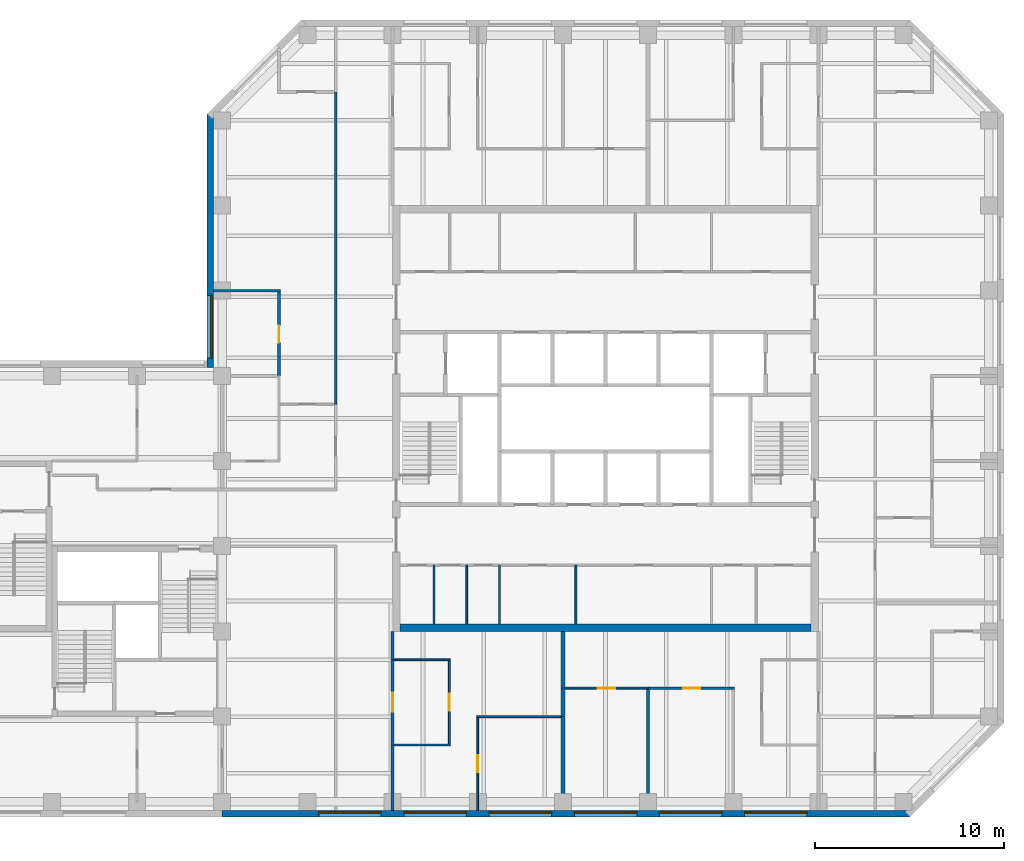
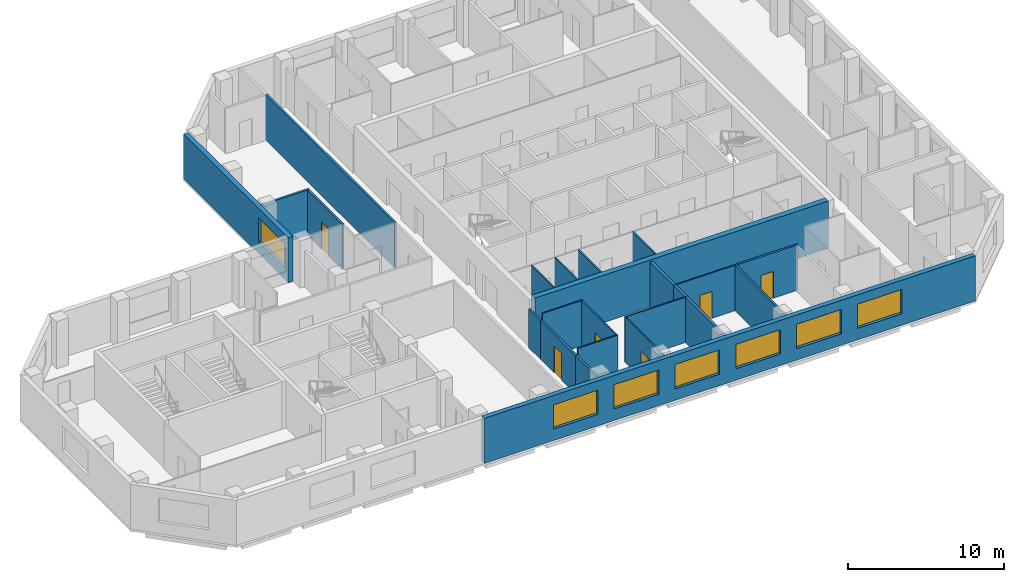
# One storey, part 4 of 10: 24 walls, 7 windows, 6 doors, 13 openings.
"""IFC4 building model written with IfcOpenShell, lengths in metres."""

import ifcopenshell
import ifcopenshell.guid

model = None  # the IFC model being written
_history = None  # IfcOwnerHistory: only IFC2X3 demands one
_inside = {}  # id of a spatial element -> (the spatial element, [elements in it])
_under = {}  # id of a project, library or spatial element -> (it, [spatial elements below it])
_declared = {}  # id of a project -> (the project, [libraries it declares])
_typed = {}  # id of a type object -> (the type object, [elements of that type])
_made_of = {}  # id of a material, layer set ... -> (it, [elements and type objects made of it])


def new_model(schema):
    """Start an empty IFC model of exactly this schema.

    Asked for "IFC4X3", IfcOpenShell would pick the latest addendum, in which some entities
    have other attributes; the version numbers below select the first issue.
    IFC2X3 requires an IfcOwnerHistory on every rooted entity: one is made here for all.
    """
    global model, _history
    if schema == "IFC4X3":
        model = ifcopenshell.file(schema_version=(4, 3, 0, 0))
    else:
        model = ifcopenshell.file(schema=schema)
    _inside.clear()
    _under.clear()
    _declared.clear()
    _typed.clear()
    _made_of.clear()
    _history = None
    if model.schema == "IFC2X3":
        org = make("IfcOrganization", Name="unknown")
        user = make(
            "IfcPersonAndOrganization",
            ThePerson=make("IfcPerson", FamilyName="unknown"),
            TheOrganization=org,
        )
        app = make(
            "IfcApplication",
            ApplicationDeveloper=org,
            Version="unknown",
            ApplicationFullName="unknown",
            ApplicationIdentifier="unknown",
        )
        _history = make(
            "IfcOwnerHistory",
            OwningUser=user,
            OwningApplication=app,
            ChangeAction="ADDED",
            CreationDate=0,
        )
    return model


def make(cls, **values):
    """One entity of the class cls with the attributes given. An attribute that is None is left unset."""
    return model.create_entity(
        cls, **{name: value for name, value in values.items() if value is not None}
    )


def rooted(cls, **values):
    """An entity with a GlobalId (a new one), such as an element, a storey or a relation."""
    return make(cls, GlobalId=ifcopenshell.guid.new(), OwnerHistory=_history, **values)


def si_unit(unit_type, name, prefix=None):
    """IfcSIUnit, for example si_unit("LENGTHUNIT", "METRE", prefix="MILLI")."""
    return make("IfcSIUnit", UnitType=unit_type, Prefix=prefix, Name=name)


def assignment(units):
    """IfcUnitAssignment: the units of a project."""
    return None if units is None else make("IfcUnitAssignment", Units=units)


def point(xyz):
    """IfcCartesianPoint."""
    return None if xyz is None else make("IfcCartesianPoint", Coordinates=xyz)


def direction(xyz):
    """IfcDirection."""
    return None if xyz is None else make("IfcDirection", DirectionRatios=xyz)


def frame(location, z_axis=None, x_axis=None):
    """IfcAxis2Placement3D, a coordinate frame: its origin and axes. An axis left out is left unset."""
    return make(
        "IfcAxis2Placement3D",
        Location=point(location),
        Axis=direction(z_axis),
        RefDirection=direction(x_axis),
    )


def frame_2d(location, x_axis=None):
    """IfcAxis2Placement2D, a coordinate frame in the plane: its origin and x axis."""
    return make(
        "IfcAxis2Placement2D", Location=point(location), RefDirection=direction(x_axis)
    )


def origin():
    """The frame at (0, 0, 0) with its axes left unset."""
    return frame((0.0, 0.0, 0.0))


def place(relative_to, where):
    """IfcLocalPlacement: puts the frame where relative to a parent placement (None: the world)."""
    return make(
        "IfcLocalPlacement", PlacementRelTo=relative_to, RelativePlacement=where
    )


def context(
    kind, dimensions, precision=None, world=None, true_north=None, identifier=None
):
    """IfcGeometricRepresentationContext, for example the 3D "Model" context."""
    return make(
        "IfcGeometricRepresentationContext",
        ContextIdentifier=identifier,
        ContextType=kind,
        CoordinateSpaceDimension=dimensions,
        Precision=precision,
        WorldCoordinateSystem=world,
        TrueNorth=true_north,
    )


def subcontext(parent, identifier, kind, view, scale=None):
    """IfcGeometricRepresentationSubContext, for example "Body" below "Model"."""
    return make(
        "IfcGeometricRepresentationSubContext",
        ContextIdentifier=identifier,
        ContextType=kind,
        ParentContext=parent,
        TargetScale=scale,
        TargetView=view,
    )


def project(units=None, contexts=None):
    """IfcProject with its units and contexts."""
    return rooted(
        "IfcProject",
        Name="project",
        RepresentationContexts=contexts,
        UnitsInContext=assignment(units),
    )


def spatial(cls, under=None, at=None, **own):
    """A site, building, storey or space (cls), placed at a placement, below another one or the project."""
    s = rooted(cls, ObjectPlacement=at, **own)
    if under is not None:
        _under.setdefault(under.id(), (under, []))[1].append(s)
    return s


def profile(cls, at=None, kind="AREA", **sizes):
    """A parametric profile (cls). Its sizes go by their IFC names, for example OverallWidth=200.0."""
    return make(cls, ProfileType=kind, Position=at, **sizes)


def rectangle(**sizes):
    """IfcRectangleProfileDef."""
    return profile("IfcRectangleProfileDef", **sizes)


def extrude(swept, where, along, depth):
    """IfcExtrudedAreaSolid: the profile swept, set in the frame where, extruded along a direction by depth."""
    return make(
        "IfcExtrudedAreaSolid",
        SweptArea=swept,
        Position=where,
        ExtrudedDirection=direction(along),
        Depth=depth,
    )


def shape(context_of_items, identifier, shape_type, items):
    """IfcShapeRepresentation: the items that make up one representation, for example the "Body"."""
    return make(
        "IfcShapeRepresentation",
        ContextOfItems=context_of_items,
        RepresentationIdentifier=identifier,
        RepresentationType=shape_type,
        Items=items,
    )


def material(Name=None, Category=None):
    """IfcMaterial."""
    return make("IfcMaterial", Name=Name, Category=Category)


def layer(
    of_material, thickness, ventilated=None, Name=None, Category=None, Priority=None
):
    """IfcMaterialLayer: one layer of a wall or slab, of a material (None: an air gap)."""
    return make(
        "IfcMaterialLayer",
        Material=of_material,
        LayerThickness=thickness,
        IsVentilated=ventilated,
        Name=Name,
        Category=Category,
        Priority=Priority,
    )


def layer_set(layers, Name=None):
    """IfcMaterialLayerSet."""
    return make("IfcMaterialLayerSet", MaterialLayers=layers, LayerSetName=Name)


def constituent(of_material, Name=None, Category=None, fraction=None):
    """IfcMaterialConstituent: one of the materials an element consists of."""
    return make(
        "IfcMaterialConstituent",
        Name=Name,
        Material=of_material,
        Fraction=fraction,
        Category=Category,
    )


def constituent_set(constituents=None, Name=None):
    """IfcMaterialConstituentSet."""
    return make(
        "IfcMaterialConstituentSet", Name=Name, MaterialConstituents=constituents
    )


def made_of(thing, what):
    """Note that an element or type object is made of a material, layer set ...; save() writes the relation."""
    if what is not None:
        _made_of.setdefault(what.id(), (what, []))[1].append(thing)
    return thing


def type_object(cls, material=None, **own):
    """A type object (cls), such as IfcWallType, which elements share."""
    return made_of(rooted(cls, **own), material)


def element(
    cls,
    number,
    at=None,
    inside=None,
    cuts=None,
    type_object=None,
    material=None,
    context=None,
    identifier="Body",
    shape_type=None,
    held_by="IfcProductDefinitionShape",
    body=None,
    shapes=None,
    **own,
):
    """One element of the class cls, such as IfcWall. Its Tag is "e" and its number.

    at: its placement. inside: the storey or other place that contains it. cuts: it is an
    opening in that element (IfcRelVoidsElement). A single representation is given by context,
    identifier, shape_type and body (its items); several are given by shapes. held_by: the class
    of the entity that holds the representations. save() writes the other relations.
    """
    e = rooted(cls, Tag="e%d" % number, ObjectPlacement=at, **own)
    if body is not None:
        shapes = [shape(context, identifier, shape_type, body)]
    if shapes is not None:
        e.Representation = make(held_by, Representations=shapes)
    if inside is not None:
        _inside.setdefault(inside.id(), (inside, []))[1].append(e)
    if cuts is not None:
        rooted(
            "IfcRelVoidsElement", RelatingBuildingElement=cuts, RelatedOpeningElement=e
        )
    if type_object is not None:
        _typed.setdefault(type_object.id(), (type_object, []))[1].append(e)
    return made_of(e, material)


def fill(opening, filler):
    """IfcRelFillsElement: the door or window that sits in an opening."""
    return rooted(
        "IfcRelFillsElement",
        RelatingOpeningElement=opening,
        RelatedBuildingElement=filler,
    )


def aggregate(whole, parts):
    """IfcRelAggregates: a whole, such as a stair, and the parts it consists of."""
    return rooted("IfcRelAggregates", RelatingObject=whole, RelatedObjects=parts)


def save(model, path):
    """Write the relations noted so far, then the file.

    IfcRelAggregates (storeys below a building ...), IfcRelContainedInSpatialStructure (elements
    in a storey), IfcRelDefinesByType, IfcRelAssociatesMaterial and IfcRelDeclares: one each for
    every whole, place, type object, material and project.
    """
    for whole, parts in _under.values():
        aggregate(whole, parts)
    for where, things in _inside.values():
        rooted(
            "IfcRelContainedInSpatialStructure",
            RelatedElements=things,
            RelatingStructure=where,
        )
    for kind, things in _typed.values():
        rooted("IfcRelDefinesByType", RelatedObjects=things, RelatingType=kind)
    for what, things in _made_of.values():
        rooted("IfcRelAssociatesMaterial", RelatedObjects=things, RelatingMaterial=what)
    for by, libraries in _declared.values():
        rooted("IfcRelDeclares", RelatingContext=by, RelatedDefinitions=libraries)
    model.write(path)


model = new_model("IFC4")

# Units and contexts
model_context = context("Model", 3, precision=1e-05, world=origin(), true_north=direction((0.0, 1.0)))
body_context = subcontext(model_context, "Body", "Model", "MODEL_VIEW")
ifc_project = project(units=[si_unit("LENGTHUNIT", "METRE"), si_unit("AREAUNIT", "SQUARE_METRE"), si_unit("VOLUMEUNIT", "CUBIC_METRE"), si_unit("PLANEANGLEUNIT", "RADIAN"), si_unit("MASSUNIT", "GRAM", prefix="KILO")], contexts=[model_context])

# Site, building, storey
site_placement = place(None, origin())
site = spatial("IfcSite", under=ifc_project, at=site_placement, CompositionType="ELEMENT")
building_placement = place(site_placement, origin())
building = spatial("IfcBuilding", under=site, at=building_placement, Name="Quoin Convention Tower", CompositionType="ELEMENT")
storey_placement = place(building_placement, frame((0.0, 0.0, 192.10009765625)))
storey = spatial("IfcBuildingStorey", under=building, at=storey_placement, Name="L50", CompositionType="ELEMENT", Elevation=192.10009765625)

# Wall, opening, door
ifc_material_1 = material(Name="Plasterboard")
ifc_layer_1 = layer(ifc_material_1, 0.012451171875, Name="Finish")
ifc_material_2 = material(Name="Steel stud framing", Category="steel")
ifc_layer_2 = layer(ifc_material_2, 0.125, Name="Structure")
ifc_layer_3 = layer(ifc_material_1, 0.012451171875, Name="Finish")
ifc_layer_set_1 = layer_set([ifc_layer_1, ifc_layer_2, ifc_layer_3], Name="Steel stud framing")
wall_type_1 = type_object("IfcWallType", Name="Acoustic partition 150", PredefinedType="PARTITIONING", material=ifc_layer_set_1)
wall_1_placement = place(storey_placement, frame((58.5, 46.5, 0.0), z_axis=(0.0, 0.0, 1.0), x_axis=(1.0, 0.0, 0.0)))
wall_1 = element("IfcWall", 1, at=wall_1_placement, inside=storey, type_object=wall_type_1, Name="pw-L50-010", PredefinedType="PARTITIONING", context=body_context, shape_type="SweptSolid", body=[
    extrude(rectangle(XDim=4.574951171875, YDim=0.14990234375, at=frame_2d((2.28759765625, 0.0))), origin(), (0.0, 0.0, 1.0), 3.5498046875),
])
opening_1_placement = place(wall_1_placement, frame((1.85009765625, 0.0, 0.0)))
opening_1 = element("IfcOpeningElement", 2, at=opening_1_placement, cuts=wall_1, Name="Opening DOH7-03", PredefinedType="OPENING", context=body_context, shape_type="SweptSolid", body=[
    extrude(rectangle(XDim=0.89990234375, YDim=2.10009765625, at=frame_2d((0.449951171875, 1.050048828125))), frame((0.0, 0.0849609375, 0.0), z_axis=(0.0, -1.0, 0.0), x_axis=(1.0, 0.0, 0.0)), (0.0, 0.0, 1.0), 0.169921875),
])
ifc_material_3 = material(Name="Steel door leaf", Category="steel")
door_type_1 = type_object("IfcDoorType", Name="Office door 900 x 2100", OperationType="SINGLE_SWING_RIGHT", PredefinedType="DOOR", material=ifc_material_3)
door_1_placement = place(opening_1_placement, origin())
door_1 = element("IfcDoor", 3, at=door_1_placement, inside=storey, type_object=door_type_1, Name="dr-L50-18", OperationType="SINGLE_SWING_RIGHT", OverallHeight=2.10009765625, OverallWidth=0.89990234375, PredefinedType="DOOR", context=body_context, shape_type="SweptSolid", body=[
    extrude(rectangle(XDim=0.89990234375, YDim=2.10009765625, at=frame_2d((0.449951171875, 1.050048828125))), frame((0.0, 0.02490234375, 0.0), z_axis=(0.0, -1.0, 0.0), x_axis=(1.0, 0.0, 0.0)), (0.0, 0.0, 1.0), 0.050048828125),
])
fill(opening_1, door_1)

# Walls
wall_2_placement = place(storey_placement, frame((35.550048828125, 67.5, 0.0), z_axis=(0.0, 0.0, 1.0), x_axis=(1.0, 0.0, 0.0)))
element("IfcWall", 4, at=wall_2_placement, inside=storey, type_object=wall_type_1, Name="pw-L50-028", PredefinedType="PARTITIONING", context=body_context, shape_type="SweptSolid", body=[
    extrude(rectangle(XDim=3.52490234375, YDim=0.14990234375, at=frame_2d((1.762451171875, 0.0))), origin(), (0.0, 0.0, 1.0), 3.5498046875),
])
wall_3_placement = place(storey_placement, frame((58.5, 40.050048828125, 0.0), z_axis=(0.0, 0.0, 1.0), x_axis=(0.0, 1.0, 0.0)))
element("IfcWall", 5, at=wall_3_placement, inside=storey, type_object=wall_type_1, Name="pw-L50-043", PredefinedType="PARTITIONING", context=body_context, shape_type="SweptSolid", body=[
    extrude(rectangle(XDim=6.375, YDim=0.14990234375, at=frame_2d((3.1875, 0.0))), origin(), (0.0, 0.0, 1.0), 3.5498046875),
])

# Wall, opening, door
wall_4_placement = place(storey_placement, frame((39.0, 63.0, 0.0), z_axis=(0.0, 0.0, 1.0), x_axis=(0.0, 1.0, 0.0)))
wall_4 = element("IfcWall", 6, at=wall_4_placement, inside=storey, type_object=wall_type_1, Name="pw-L50-076", PredefinedType="PARTITIONING", context=body_context, shape_type="SweptSolid", body=[
    extrude(rectangle(XDim=4.425048828125, YDim=0.14990234375, at=frame_2d((2.21240234375, 0.0))), origin(), (0.0, 0.0, 1.0), 3.5498046875),
])
opening_2_placement = place(wall_4_placement, frame((1.75, 0.0, 0.0)))
opening_2 = element("IfcOpeningElement", 7, at=opening_2_placement, cuts=wall_4, Name="Opening DOH7-23", PredefinedType="OPENING", context=body_context, shape_type="SweptSolid", body=[
    extrude(rectangle(XDim=0.89990234375, YDim=2.10009765625, at=frame_2d((0.449951171875, 1.050048828125))), frame((0.0, 0.0849609375, 0.0), z_axis=(0.0, -1.0, 0.0), x_axis=(1.0, 0.0, 0.0)), (0.0, 0.0, 1.0), 0.169921875),
])
door_2_placement = place(opening_2_placement, frame((0.89990234375, 0.0, 0.0), z_axis=(0.0, 0.0, 1.0), x_axis=(-1.0, 0.0, 0.0)))
door_2 = element("IfcDoor", 8, at=door_2_placement, inside=storey, type_object=door_type_1, Name="dr-L50-10", OperationType="SINGLE_SWING_LEFT", OverallHeight=2.10009765625, OverallWidth=0.89990234375, PredefinedType="DOOR", context=body_context, shape_type="SweptSolid", body=[
    extrude(rectangle(XDim=0.89990234375, YDim=2.10009765625, at=frame_2d((0.449951171875, 1.050048828125))), frame((0.0, 0.02490234375, 0.0), z_axis=(0.0, -1.0, 0.0), x_axis=(1.0, 0.0, 0.0)), (0.0, 0.0, 1.0), 0.050048828125),
])
fill(opening_2, door_2)

# Wall, openings, windows
ifc_material_4 = material(Name="Brick masonry", Category="masonry")
ifc_layer_4 = layer(ifc_material_4, 0.35009765625)
ifc_layer_set_2 = layer_set([ifc_layer_4], Name="Brick masonry")
wall_type_2 = type_object("IfcWallType", Name="Brick facade wall", PredefinedType="STANDARD", material=ifc_layer_set_2)
wall_5_placement = place(storey_placement, frame((36.0, 39.875, 0.0), z_axis=(0.0, 0.0, 1.0), x_axis=(1.0, 0.0, 0.0)))
wall_5 = element("IfcWall", 9, at=wall_5_placement, inside=storey, type_object=wall_type_2, Name="fw-L50-36000_40500", PredefinedType="STANDARD", context=body_context, shape_type="SweptSolid", body=[
    extrude(rectangle(XDim=36.331298828125, YDim=0.35009765625, at=frame_2d((18.16552734375, 0.0))), origin(), (0.0, 0.0, 1.0), 3.52490234375),
])
opening_3_placement = place(wall_5_placement, frame((5.10009765625, 0.0, 0.89990234375)))
opening_3 = element("IfcOpeningElement", 10, at=opening_3_placement, cuts=wall_5, Name="Opening W-02", PredefinedType="OPENING", context=body_context, shape_type="SweptSolid", body=[
    extrude(rectangle(XDim=3.300048828125, YDim=1.89990234375, at=frame_2d((1.64990234375, 0.949951171875))), frame((0.0, 0.18505859375, 0.0), z_axis=(0.0, -1.0, 0.0), x_axis=(1.0, 0.0, 0.0)), (0.0, 0.0, 1.0), 0.3701171875),
])
opening_4_placement = place(wall_5_placement, frame((9.60009765625, 0.0, 0.89990234375)))
opening_4 = element("IfcOpeningElement", 11, at=opening_4_placement, cuts=wall_5, Name="Opening W-02", PredefinedType="OPENING", context=body_context, shape_type="SweptSolid", body=[
    extrude(rectangle(XDim=3.300048828125, YDim=1.89990234375, at=frame_2d((1.64990234375, 0.949951171875))), frame((0.0, 0.18505859375, 0.0), z_axis=(0.0, -1.0, 0.0), x_axis=(1.0, 0.0, 0.0)), (0.0, 0.0, 1.0), 0.3701171875),
])
opening_5_placement = place(wall_5_placement, frame((14.10009765625, 0.0, 0.89990234375)))
opening_5 = element("IfcOpeningElement", 12, at=opening_5_placement, cuts=wall_5, Name="Opening W-02", PredefinedType="OPENING", context=body_context, shape_type="SweptSolid", body=[
    extrude(rectangle(XDim=3.300048828125, YDim=1.89990234375, at=frame_2d((1.64990234375, 0.949951171875))), frame((0.0, 0.18505859375, 0.0), z_axis=(0.0, -1.0, 0.0), x_axis=(1.0, 0.0, 0.0)), (0.0, 0.0, 1.0), 0.3701171875),
])
opening_6_placement = place(wall_5_placement, frame((18.60009765625, 0.0, 0.89990234375)))
opening_6 = element("IfcOpeningElement", 13, at=opening_6_placement, cuts=wall_5, Name="Opening W-02", PredefinedType="OPENING", context=body_context, shape_type="SweptSolid", body=[
    extrude(rectangle(XDim=3.300048828125, YDim=1.89990234375, at=frame_2d((1.64990234375, 0.949951171875))), frame((0.0, 0.18505859375, 0.0), z_axis=(0.0, -1.0, 0.0), x_axis=(1.0, 0.0, 0.0)), (0.0, 0.0, 1.0), 0.3701171875),
])
opening_7_placement = place(wall_5_placement, frame((23.10009765625, 0.0, 0.89990234375)))
opening_7 = element("IfcOpeningElement", 14, at=opening_7_placement, cuts=wall_5, Name="Opening W-02", PredefinedType="OPENING", context=body_context, shape_type="SweptSolid", body=[
    extrude(rectangle(XDim=3.300048828125, YDim=1.89990234375, at=frame_2d((1.64990234375, 0.949951171875))), frame((0.0, 0.18505859375, 0.0), z_axis=(0.0, -1.0, 0.0), x_axis=(1.0, 0.0, 0.0)), (0.0, 0.0, 1.0), 0.3701171875),
])
opening_8_placement = place(wall_5_placement, frame((27.60009765625, 0.0, 0.89990234375)))
opening_8 = element("IfcOpeningElement", 15, at=opening_8_placement, cuts=wall_5, Name="Opening W-02", PredefinedType="OPENING", context=body_context, shape_type="SweptSolid", body=[
    extrude(rectangle(XDim=3.300048828125, YDim=1.89990234375, at=frame_2d((1.64990234375, 0.949951171875))), frame((0.0, 0.18505859375, 0.0), z_axis=(0.0, -1.0, 0.0), x_axis=(1.0, 0.0, 0.0)), (0.0, 0.0, 1.0), 0.3701171875),
])
ifc_material_5 = material(Name="Aluminium", Category="aluminium")
ifc_constituent_1 = constituent(ifc_material_5, Name="Frame")
ifc_material_6 = material(Name="Insulated glass", Category="glass")
ifc_constituent_2 = constituent(ifc_material_6, Name="Glazing")
ifc_constituent_set = constituent_set(constituents=[ifc_constituent_1, ifc_constituent_2], Name="Aluminium")
window_type = type_object("IfcWindowType", Name="Office window", PartitioningType="DOUBLE_PANEL_VERTICAL", PredefinedType="WINDOW", material=ifc_constituent_set)
window_1_placement = place(opening_3_placement, origin())
window_1 = element("IfcWindow", 16, at=window_1_placement, inside=storey, type_object=window_type, Name="win-L50-42750_39875", OverallHeight=1.89990234375, OverallWidth=3.300048828125, PartitioningType="SINGLE_PANEL", PredefinedType="WINDOW", context=body_context, shape_type="SweptSolid", body=[
    extrude(rectangle(XDim=3.300048828125, YDim=1.89990234375, at=frame_2d((1.64990234375, 0.949951171875))), frame((0.0, 0.0849609375, 0.0), z_axis=(0.0, -1.0, 0.0), x_axis=(1.0, 0.0, 0.0)), (0.0, 0.0, 1.0), 0.06005859375),
])
fill(opening_3, window_1)
window_2_placement = place(opening_4_placement, origin())
window_2 = element("IfcWindow", 17, at=window_2_placement, inside=storey, type_object=window_type, Name="win-L50-47250_39875", OverallHeight=1.89990234375, OverallWidth=3.300048828125, PartitioningType="SINGLE_PANEL", PredefinedType="WINDOW", context=body_context, shape_type="SweptSolid", body=[
    extrude(rectangle(XDim=3.300048828125, YDim=1.89990234375, at=frame_2d((1.64990234375, 0.949951171875))), frame((0.0, 0.0849609375, 0.0), z_axis=(0.0, -1.0, 0.0), x_axis=(1.0, 0.0, 0.0)), (0.0, 0.0, 1.0), 0.06005859375),
])
fill(opening_4, window_2)
window_3_placement = place(opening_5_placement, origin())
window_3 = element("IfcWindow", 18, at=window_3_placement, inside=storey, type_object=window_type, Name="win-L50-51750_39875", OverallHeight=1.89990234375, OverallWidth=3.300048828125, PartitioningType="SINGLE_PANEL", PredefinedType="WINDOW", context=body_context, shape_type="SweptSolid", body=[
    extrude(rectangle(XDim=3.300048828125, YDim=1.89990234375, at=frame_2d((1.64990234375, 0.949951171875))), frame((0.0, 0.0849609375, 0.0), z_axis=(0.0, -1.0, 0.0), x_axis=(1.0, 0.0, 0.0)), (0.0, 0.0, 1.0), 0.06005859375),
])
fill(opening_5, window_3)
window_4_placement = place(opening_6_placement, origin())
window_4 = element("IfcWindow", 19, at=window_4_placement, inside=storey, type_object=window_type, Name="win-L50-56250_39875", OverallHeight=1.89990234375, OverallWidth=3.300048828125, PartitioningType="SINGLE_PANEL", PredefinedType="WINDOW", context=body_context, shape_type="SweptSolid", body=[
    extrude(rectangle(XDim=3.300048828125, YDim=1.89990234375, at=frame_2d((1.64990234375, 0.949951171875))), frame((0.0, 0.0849609375, 0.0), z_axis=(0.0, -1.0, 0.0), x_axis=(1.0, 0.0, 0.0)), (0.0, 0.0, 1.0), 0.06005859375),
])
fill(opening_6, window_4)
window_5_placement = place(opening_7_placement, origin())
window_5 = element("IfcWindow", 20, at=window_5_placement, inside=storey, type_object=window_type, Name="win-L50-60750_39875", OverallHeight=1.89990234375, OverallWidth=3.300048828125, PartitioningType="SINGLE_PANEL", PredefinedType="WINDOW", context=body_context, shape_type="SweptSolid", body=[
    extrude(rectangle(XDim=3.300048828125, YDim=1.89990234375, at=frame_2d((1.64990234375, 0.949951171875))), frame((0.0, 0.0849609375, 0.0), z_axis=(0.0, -1.0, 0.0), x_axis=(1.0, 0.0, 0.0)), (0.0, 0.0, 1.0), 0.06005859375),
])
fill(opening_7, window_5)
window_6_placement = place(opening_8_placement, origin())
window_6 = element("IfcWindow", 21, at=window_6_placement, inside=storey, type_object=window_type, Name="win-L50-65250_39875", OverallHeight=1.89990234375, OverallWidth=3.300048828125, PartitioningType="SINGLE_PANEL", PredefinedType="WINDOW", context=body_context, shape_type="SweptSolid", body=[
    extrude(rectangle(XDim=3.300048828125, YDim=1.89990234375, at=frame_2d((1.64990234375, 0.949951171875))), frame((0.0, 0.0849609375, 0.0), z_axis=(0.0, -1.0, 0.0), x_axis=(1.0, 0.0, 0.0)), (0.0, 0.0, 1.0), 0.06005859375),
])
fill(opening_8, window_6)

# Wall, opening, window
wall_6_placement = place(storey_placement, frame((35.375, 76.831298828125, 0.0), z_axis=(0.0, 0.0, 1.0), x_axis=(0.0, -1.0, 0.0)))
wall_6 = element("IfcWall", 22, at=wall_6_placement, inside=storey, type_object=wall_type_2, Name="fw-L50-36000_76500", PredefinedType="STANDARD", context=body_context, shape_type="SweptSolid", body=[
    extrude(rectangle(XDim=13.38134765625, YDim=0.35009765625, at=frame_2d((6.690673828125, 0.0))), origin(), (0.0, 0.0, 1.0), 3.52490234375),
])
opening_9_placement = place(wall_6_placement, frame((9.581298828125, 0.0, 0.89990234375)))
opening_9 = element("IfcOpeningElement", 23, at=opening_9_placement, cuts=wall_6, Name="Opening W-02", PredefinedType="OPENING", context=body_context, shape_type="SweptSolid", body=[
    extrude(rectangle(XDim=3.300048828125, YDim=1.89990234375, at=frame_2d((1.64990234375, 0.949951171875))), frame((0.0, 0.18505859375, 0.0), z_axis=(0.0, -1.0, 0.0), x_axis=(1.0, 0.0, 0.0)), (0.0, 0.0, 1.0), 0.3701171875),
])
window_7_placement = place(opening_9_placement, origin())
window_7 = element("IfcWindow", 24, at=window_7_placement, inside=storey, type_object=window_type, Name="win-L50-35375_65250", OverallHeight=1.89990234375, OverallWidth=3.300048828125, PartitioningType="SINGLE_PANEL", PredefinedType="WINDOW", context=body_context, shape_type="SweptSolid", body=[
    extrude(rectangle(XDim=3.300048828125, YDim=1.89990234375, at=frame_2d((1.64990234375, 0.949951171875))), frame((0.0, 0.0849609375, 0.0), z_axis=(0.0, -1.0, 0.0), x_axis=(1.0, 0.0, 0.0)), (0.0, 0.0, 1.0), 0.06005859375),
])
fill(opening_9, window_7)

# Walls
ifc_layer_5 = layer(ifc_material_1, 0.012451171875, Name="Finish")
ifc_layer_6 = layer(ifc_material_2, 0.074951171875, Name="Structure")
ifc_layer_7 = layer(ifc_material_1, 0.012451171875, Name="Finish")
ifc_layer_set_3 = layer_set([ifc_layer_5, ifc_layer_6, ifc_layer_7], Name="Steel stud framing")
wall_type_3 = type_object("IfcWallType", Name="Core partition wall", PredefinedType="PARTITIONING", material=ifc_layer_set_3)
for number, where, z_axis, x_axis, name in (
    (25, (47.18505859375, 49.89990234375, 0.0), (0.0, 0.0, 1.0), (0.0, 1.0, 0.0), "cr-C1-L50-v2185_400"),
    (26, (48.91748046875, 49.89990234375, 0.0), (0.0, 0.0, 1.0), (0.0, 1.0, 0.0), "cr-C1-L50-v3918_400"),
    (27, (50.64990234375, 49.89990234375, 0.0), (0.0, 0.0, 1.0), (0.0, 1.0, 0.0), "cr-C1-L50-v5650_400"),
    (28, (54.681884765625, 49.89990234375, 0.0), (0.0, 0.0, 1.0), (0.0, 1.0, 0.0), "cr-C1-L50-v9682_400"),
):
    element("IfcWall", number, at=place(storey_placement, frame(where, z_axis=z_axis, x_axis=x_axis)), inside=storey, type_object=wall_type_3, Name=name, PredefinedType="PARTITIONING", context=body_context, shape_type="SweptSolid", body=[
        extrude(rectangle(XDim=3.10009765625, YDim=0.10009765625, at=frame_2d((1.550048828125, 0.0))), origin(), (0.0, 0.0, 1.0), 3.5498046875),
    ])
ifc_layer_8 = layer(ifc_material_1, 0.012451171875, Name="Finish")
ifc_layer_9 = layer(ifc_material_2, 0.125, Name="Structure")
ifc_layer_10 = layer(ifc_material_1, 0.012451171875, Name="Finish")
ifc_layer_set_4 = layer_set([ifc_layer_8, ifc_layer_9, ifc_layer_10], Name="Steel stud framing")
wall_type_4 = type_object("IfcWallType", Name="Corridor wall 150", PredefinedType="PARTITIONING", material=ifc_layer_set_4)
wall_7_placement = place(storey_placement, frame((42.0, 61.5, 0.0), z_axis=(0.0, 0.0, 1.0), x_axis=(0.0, 1.0, 0.0)))
element("IfcWall", 29, at=wall_7_placement, inside=storey, type_object=wall_type_4, Name="pw-L50-075", PredefinedType="PARTITIONING", context=body_context, shape_type="SweptSolid", body=[
    extrude(rectangle(XDim=16.5, YDim=0.14990234375, at=frame_2d((8.25, 0.0))), origin(), (0.0, 0.0, 1.0), 3.5498046875),
])
ifc_layer_11 = layer(ifc_material_1, 0.012451171875, Name="Finish")
ifc_layer_12 = layer(ifc_material_2, 0.125, Name="Structure")
ifc_layer_13 = layer(ifc_material_1, 0.012451171875, Name="Finish")
ifc_layer_set_5 = layer_set([ifc_layer_11, ifc_layer_12, ifc_layer_13], Name="Steel stud framing")
wall_type_5 = type_object("IfcWallType", Name="Corridor wall 150 under beam 528", PredefinedType="PARTITIONING", material=ifc_layer_set_5)
wall_8_placement = place(storey_placement, frame((45.0, 40.050048828125, 0.0), z_axis=(0.0, 0.0, 1.0), x_axis=(0.0, 1.0, 0.0)))
element("IfcWall", 30, at=wall_8_placement, inside=storey, type_object=wall_type_5, Name="pw-L50-040", PredefinedType="PARTITIONING", context=body_context, shape_type="SweptSolid", body=[
    extrude(rectangle(XDim=3.449951171875, YDim=0.14990234375, at=frame_2d((1.72509765625, 0.0))), origin(), (0.0, 0.0, 1.0), 3.02197265625),
])

# Wall, opening, door
wall_9_placement = place(storey_placement, frame((45.0, 43.5, 0.0), z_axis=(0.0, 0.0, 1.0), x_axis=(0.0, 1.0, 0.0)))
wall_9 = element("IfcWall", 31, at=wall_9_placement, inside=storey, type_object=wall_type_5, Name="pw-L50-048", PredefinedType="PARTITIONING", context=body_context, shape_type="SweptSolid", body=[
    extrude(rectangle(XDim=4.5, YDim=0.14990234375, at=frame_2d((2.25, 0.0))), origin(), (0.0, 0.0, 1.0), 3.02197265625),
])
opening_10_placement = place(wall_9_placement, frame((1.75, 0.0, 0.0)))
opening_10 = element("IfcOpeningElement", 32, at=opening_10_placement, cuts=wall_9, Name="Opening DOH7-15", PredefinedType="OPENING", context=body_context, shape_type="SweptSolid", body=[
    extrude(rectangle(XDim=1.0, YDim=2.10009765625, at=frame_2d((0.5, 1.050048828125))), frame((0.0, 0.0849609375, 0.0), z_axis=(0.0, -1.0, 0.0), x_axis=(1.0, 0.0, 0.0)), (0.0, 0.0, 1.0), 0.169921875),
])
door_type_2 = type_object("IfcDoorType", Name="Tenancy entrance door 1000 x 2100", OperationType="DOUBLE_DOOR_SINGLE_SWING", PredefinedType="DOOR", material=ifc_material_3)
door_3_placement = place(opening_10_placement, frame((1.0, 0.0, 0.0), z_axis=(0.0, 0.0, 1.0), x_axis=(-1.0, 0.0, 0.0)))
door_3 = element("IfcDoor", 33, at=door_3_placement, inside=storey, type_object=door_type_2, Name="dr-L50-12", OperationType="DOUBLE_DOOR_SINGLE_SWING", OverallHeight=2.10009765625, OverallWidth=1.0, PredefinedType="DOOR", context=body_context, shape_type="SweptSolid", body=[
    extrude(rectangle(XDim=1.0, YDim=2.10009765625, at=frame_2d((0.5, 1.050048828125))), frame((0.0, 0.02490234375, 0.0), z_axis=(0.0, -1.0, 0.0), x_axis=(1.0, 0.0, 0.0)), (0.0, 0.0, 1.0), 0.050048828125),
])
fill(opening_10, door_3)

# Walls
wall_10_placement = place(storey_placement, frame((45.0, 48.0, 0.0), z_axis=(0.0, 0.0, 1.0), x_axis=(0.0, 1.0, 0.0)))
element("IfcWall", 34, at=wall_10_placement, inside=storey, type_object=wall_type_5, Name="pw-L50-060", PredefinedType="PARTITIONING", context=body_context, shape_type="SweptSolid", body=[
    extrude(rectangle(XDim=1.5, YDim=0.14990234375, at=frame_2d((0.75, 0.0))), origin(), (0.0, 0.0, 1.0), 3.02197265625),
])
ifc_material_7 = material(Name="Concrete C50", Category="concrete")
ifc_layer_14 = layer(ifc_material_7, 0.39990234375)
ifc_layer_set_6 = layer_set([ifc_layer_14], Name="Concrete C50")
wall_type_6 = type_object("IfcWallType", Name="RC CORE WALL 400 C50", PredefinedType="SHEAR", material=ifc_layer_set_6)
wall_11_placement = place(storey_placement, frame((45.39990234375, 49.699951171875, 0.0), z_axis=(0.0, 0.0, 1.0), x_axis=(1.0, 0.0, 0.0)))
element("IfcWall", 35, at=wall_11_placement, inside=storey, type_object=wall_type_6, Name="cwl-C1-L50-S", PredefinedType="SHEAR", context=body_context, shape_type="SweptSolid", body=[
    extrude(rectangle(XDim=21.7001953125, YDim=0.39990234375, at=frame_2d((10.85009765625, 0.0))), origin(), (0.0, 0.0, 1.0), 3.699951171875),
])
ifc_layer_15 = layer(ifc_material_1, 0.012451171875, Name="Finish")
ifc_layer_16 = layer(ifc_material_2, 0.074951171875, Name="Structure")
ifc_layer_17 = layer(ifc_material_1, 0.012451171875, Name="Finish")
ifc_layer_set_7 = layer_set([ifc_layer_15, ifc_layer_16, ifc_layer_17], Name="Steel stud framing")
wall_type_7 = type_object("IfcWallType", Name="Stud partition 100", PredefinedType="PARTITIONING", material=ifc_layer_set_7)
wall_12_placement = place(storey_placement, frame((45.074951171875, 43.5, 0.0), z_axis=(0.0, 0.0, 1.0), x_axis=(1.0, 0.0, 0.0)))
element("IfcWall", 36, at=wall_12_placement, inside=storey, type_object=wall_type_7, Name="pw-L50-001", PredefinedType="PARTITIONING", context=body_context, shape_type="SweptSolid", body=[
    extrude(rectangle(XDim=2.97509765625, YDim=0.10009765625, at=frame_2d((1.487548828125, 0.0))), origin(), (0.0, 0.0, 1.0), 3.5498046875),
])
wall_13_placement = place(storey_placement, frame((49.449951171875, 45.0, 0.0), z_axis=(0.0, 0.0, 1.0), x_axis=(1.0, 0.0, 0.0)))
element("IfcWall", 37, at=wall_13_placement, inside=storey, type_object=wall_type_7, Name="pw-L50-005", PredefinedType="PARTITIONING", context=body_context, shape_type="SweptSolid", body=[
    extrude(rectangle(XDim=4.449951171875, YDim=0.10009765625, at=frame_2d((2.22509765625, 0.0))), origin(), (0.0, 0.0, 1.0), 3.5498046875),
])

# Wall, opening, door
wall_14_placement = place(storey_placement, frame((54.10009765625, 46.5, 0.0), z_axis=(0.0, 0.0, 1.0), x_axis=(1.0, 0.0, 0.0)))
wall_14 = element("IfcWall", 38, at=wall_14_placement, inside=storey, type_object=wall_type_7, Name="pw-L50-009", PredefinedType="PARTITIONING", context=body_context, shape_type="SweptSolid", body=[
    extrude(rectangle(XDim=4.39990234375, YDim=0.10009765625, at=frame_2d((2.199951171875, 0.0))), origin(), (0.0, 0.0, 1.0), 3.5498046875),
])
opening_11_placement = place(wall_14_placement, frame((1.75, 0.0, 0.0)))
opening_11 = element("IfcOpeningElement", 39, at=opening_11_placement, cuts=wall_14, Name="Opening DOH7-02", PredefinedType="OPENING", context=body_context, shape_type="SweptSolid", body=[
    extrude(rectangle(XDim=0.89990234375, YDim=2.10009765625, at=frame_2d((0.449951171875, 1.050048828125))), frame((0.0, 0.06005859375, 0.0), z_axis=(0.0, -1.0, 0.0), x_axis=(1.0, 0.0, 0.0)), (0.0, 0.0, 1.0), 0.1201171875),
])
door_4_placement = place(opening_11_placement, origin())
door_4 = element("IfcDoor", 40, at=door_4_placement, inside=storey, type_object=door_type_1, Name="dr-L50-17", OperationType="SINGLE_SWING_RIGHT", OverallHeight=2.10009765625, OverallWidth=0.89990234375, PredefinedType="DOOR", context=body_context, shape_type="SweptSolid", body=[
    extrude(rectangle(XDim=0.89990234375, YDim=2.10009765625, at=frame_2d((0.449951171875, 1.050048828125))), frame((0.0, 0.02490234375, 0.0), z_axis=(0.0, -1.0, 0.0), x_axis=(1.0, 0.0, 0.0)), (0.0, 0.0, 1.0), 0.050048828125),
])
fill(opening_11, door_4)

# Wall
wall_15_placement = place(storey_placement, frame((45.074951171875, 48.0, 0.0), z_axis=(0.0, 0.0, 1.0), x_axis=(1.0, 0.0, 0.0)))
element("IfcWall", 41, at=wall_15_placement, inside=storey, type_object=wall_type_7, Name="pw-L50-011", PredefinedType="PARTITIONING", context=body_context, shape_type="SweptSolid", body=[
    extrude(rectangle(XDim=2.97509765625, YDim=0.10009765625, at=frame_2d((1.487548828125, 0.0))), origin(), (0.0, 0.0, 1.0), 3.5498046875),
])

# Wall, opening, door
wall_16_placement = place(storey_placement, frame((49.5, 40.050048828125, 0.0), z_axis=(0.0, 0.0, 1.0), x_axis=(0.0, 1.0, 0.0)))
wall_16 = element("IfcWall", 42, at=wall_16_placement, inside=storey, type_object=wall_type_7, Name="pw-L50-041", PredefinedType="PARTITIONING", context=body_context, shape_type="SweptSolid", body=[
    extrude(rectangle(XDim=4.89990234375, YDim=0.10009765625, at=frame_2d((2.449951171875, 0.0))), origin(), (0.0, 0.0, 1.0), 3.5498046875),
])
opening_12_placement = place(wall_16_placement, frame((2.0, 0.0, 0.0)))
opening_12 = element("IfcOpeningElement", 43, at=opening_12_placement, cuts=wall_16, Name="Opening DOH7-12", PredefinedType="OPENING", context=body_context, shape_type="SweptSolid", body=[
    extrude(rectangle(XDim=0.89990234375, YDim=2.10009765625, at=frame_2d((0.449951171875, 1.050048828125))), frame((0.0, 0.06005859375, 0.0), z_axis=(0.0, -1.0, 0.0), x_axis=(1.0, 0.0, 0.0)), (0.0, 0.0, 1.0), 0.1201171875),
])
door_5_placement = place(opening_12_placement, origin())
door_5 = element("IfcDoor", 44, at=door_5_placement, inside=storey, type_object=door_type_1, Name="dr-L50-14", OperationType="SINGLE_SWING_RIGHT", OverallHeight=2.10009765625, OverallWidth=0.89990234375, PredefinedType="DOOR", context=body_context, shape_type="SweptSolid", body=[
    extrude(rectangle(XDim=0.89990234375, YDim=2.10009765625, at=frame_2d((0.449951171875, 1.050048828125))), frame((0.0, 0.02490234375, 0.0), z_axis=(0.0, -1.0, 0.0), x_axis=(1.0, 0.0, 0.0)), (0.0, 0.0, 1.0), 0.050048828125),
])
fill(opening_12, door_5)

wall_17_placement = place(storey_placement, frame((48.0, 43.550048828125, 0.0), z_axis=(0.0, 0.0, 1.0), x_axis=(0.0, 1.0, 0.0)))
wall_17 = element("IfcWall", 45, at=wall_17_placement, inside=storey, type_object=wall_type_7, Name="pw-L50-050", PredefinedType="PARTITIONING", context=body_context, shape_type="SweptSolid", body=[
    extrude(rectangle(XDim=4.39990234375, YDim=0.10009765625, at=frame_2d((2.199951171875, 0.0))), origin(), (0.0, 0.0, 1.0), 3.5498046875),
])
opening_13_placement = place(wall_17_placement, frame((1.75, 0.0, 0.0)))
opening_13 = element("IfcOpeningElement", 46, at=opening_13_placement, cuts=wall_17, Name="Opening DOH7-17", PredefinedType="OPENING", context=body_context, shape_type="SweptSolid", body=[
    extrude(rectangle(XDim=0.89990234375, YDim=2.10009765625, at=frame_2d((0.449951171875, 1.050048828125))), frame((0.0, 0.06005859375, 0.0), z_axis=(0.0, -1.0, 0.0), x_axis=(1.0, 0.0, 0.0)), (0.0, 0.0, 1.0), 0.1201171875),
])
door_6_placement = place(opening_13_placement, frame((0.89990234375, 0.0, 0.0), z_axis=(0.0, 0.0, 1.0), x_axis=(-1.0, 0.0, 0.0)))
door_6 = element("IfcDoor", 47, at=door_6_placement, inside=storey, type_object=door_type_1, Name="dr-L50-13", OperationType="SINGLE_SWING_LEFT", OverallHeight=2.10009765625, OverallWidth=0.89990234375, PredefinedType="DOOR", context=body_context, shape_type="SweptSolid", body=[
    extrude(rectangle(XDim=0.89990234375, YDim=2.10009765625, at=frame_2d((0.449951171875, 1.050048828125))), frame((0.0, 0.02490234375, 0.0), z_axis=(0.0, -1.0, 0.0), x_axis=(1.0, 0.0, 0.0)), (0.0, 0.0, 1.0), 0.050048828125),
])
fill(opening_13, door_6)

# Walls
ifc_layer_18 = layer(ifc_material_1, 0.012451171875, Name="Finish")
ifc_layer_19 = layer(ifc_material_2, 0.175048828125, Name="Structure")
ifc_layer_20 = layer(ifc_material_1, 0.012451171875, Name="Finish")
ifc_layer_set_8 = layer_set([ifc_layer_18, ifc_layer_19, ifc_layer_20], Name="Steel stud framing")
wall_type_8 = type_object("IfcWallType", Name="Tenancy demising wall 200", PredefinedType="PARTITIONING", material=ifc_layer_set_8)
wall_18_placement = place(storey_placement, frame((54.0, 40.050048828125, 0.0), z_axis=(0.0, 0.0, 1.0), x_axis=(0.0, 1.0, 0.0)))
element("IfcWall", 48, at=wall_18_placement, inside=storey, type_object=wall_type_8, Name="pw-L50-042", PredefinedType="PARTITIONING", context=body_context, shape_type="SweptSolid", body=[
    extrude(rectangle(XDim=4.949951171875, YDim=0.199951171875, at=frame_2d((2.47509765625, 0.0))), origin(), (0.0, 0.0, 1.0), 3.5498046875),
])
wall_19_placement = place(storey_placement, frame((54.0, 45.0, 0.0), z_axis=(0.0, 0.0, 1.0), x_axis=(0.0, 1.0, 0.0)))
element("IfcWall", 49, at=wall_19_placement, inside=storey, type_object=wall_type_8, Name="pw-L50-053", PredefinedType="PARTITIONING", context=body_context, shape_type="SweptSolid", body=[
    extrude(rectangle(XDim=1.5, YDim=0.199951171875, at=frame_2d((0.75, 0.0))), origin(), (0.0, 0.0, 1.0), 3.5498046875),
])
wall_20_placement = place(storey_placement, frame((54.0, 46.5, 0.0), z_axis=(0.0, 0.0, 1.0), x_axis=(0.0, 1.0, 0.0)))
element("IfcWall", 50, at=wall_20_placement, inside=storey, type_object=wall_type_8, Name="pw-L50-058", PredefinedType="PARTITIONING", context=body_context, shape_type="SweptSolid", body=[
    extrude(rectangle(XDim=3.0, YDim=0.199951171875, at=frame_2d((1.5, 0.0))), origin(), (0.0, 0.0, 1.0), 3.5498046875),
])

save(model, "model.ifc")
